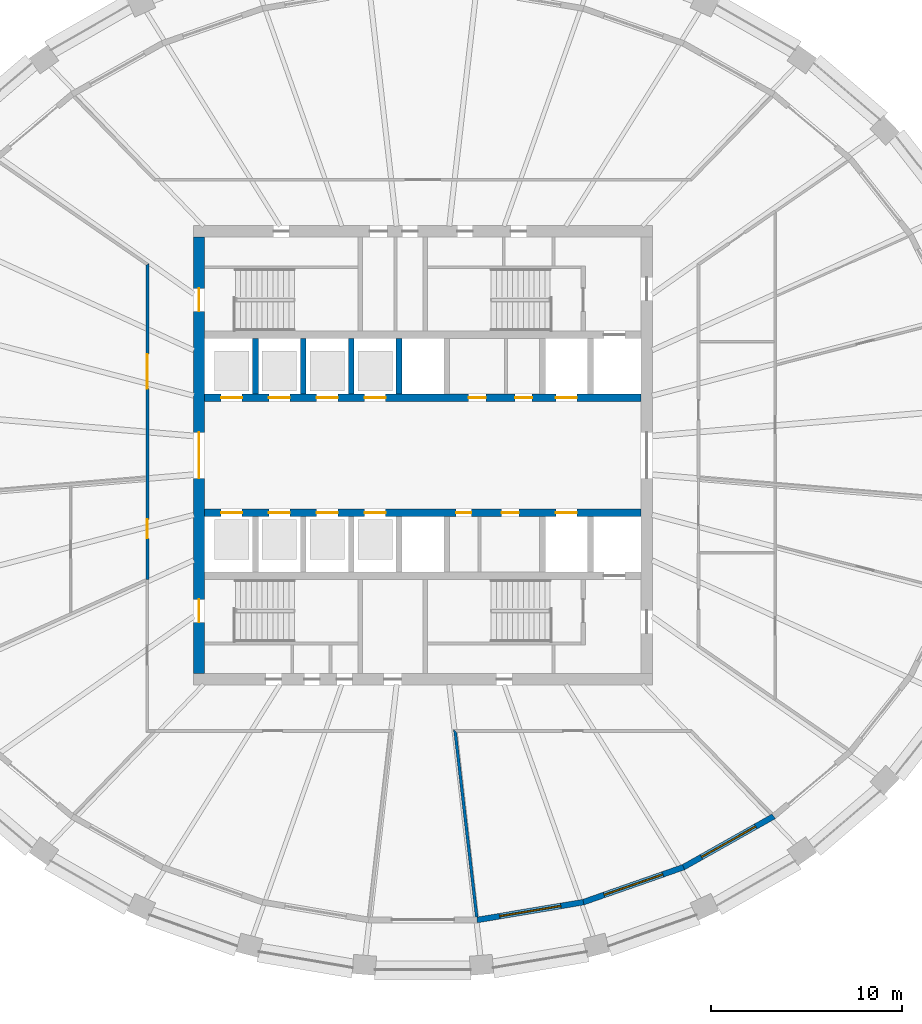
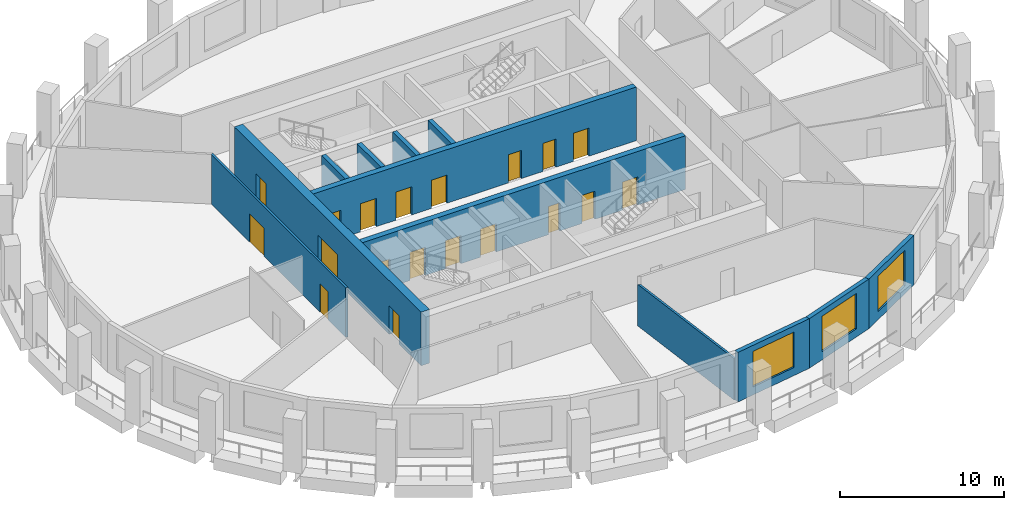
# One storey, part 4 of 11: 19 doors, 12 walls, 3 windows, 22 openings.
"""IFC4 building model written with IfcOpenShell, lengths in metres."""

from ifc_helpers import new_model, si_unit, direction, frame, frame_2d, origin, place, context, subcontext, project, spatial, polyline, rectangle, outline, extrude, material, layer, layer_set, type_object, element, fill, save


model = new_model("IFC4")

# Units and contexts
model_context = context("Model", 3, precision=1e-05, world=origin(), true_north=direction((0.0, 1.0)))
body_context = subcontext(model_context, "Body", "Model", "MODEL_VIEW")
ifc_project = project(units=[si_unit("LENGTHUNIT", "METRE"), si_unit("AREAUNIT", "SQUARE_METRE"), si_unit("VOLUMEUNIT", "CUBIC_METRE"), si_unit("PLANEANGLEUNIT", "RADIAN"), si_unit("MASSUNIT", "GRAM", prefix="KILO")], contexts=[model_context])

# Site, building, storey
site_placement = place(None, origin())
site = spatial("IfcSite", under=ifc_project, at=site_placement, CompositionType="ELEMENT")
building_placement = place(site_placement, origin())
building = spatial("IfcBuilding", under=site, at=building_placement, Name="Halqa Exchange Tower", CompositionType="ELEMENT")
storey_placement = place(building_placement, frame((0.0, 0.0, 234.89990234375)))
storey = spatial("IfcBuildingStorey", under=building, at=storey_placement, Name="L54", CompositionType="ELEMENT", Elevation=234.89990234375)

# Wall, openings, doors
ifc_material_1 = material(Name="Fire-rated gypsum board")
ifc_layer_1 = layer(ifc_material_1, 0.14990234375)
ifc_layer_set_1 = layer_set([ifc_layer_1], Name="Fire-rated gypsum board")
wall_type_1 = type_object("IfcWallType", Name="Fire partition EI 60 150", PredefinedType="PARTITIONING", material=ifc_layer_set_1)
wall_1_placement = place(storey_placement, frame((-14.39990234375, -6.489990234375, 0.0), z_axis=(0.0, 0.0, 1.0), x_axis=(0.0, 1.0, 0.0)))
wall_1 = element("IfcWall", 1, at=wall_1_placement, inside=storey, type_object=wall_type_1, Name="L54-PWL-006", PredefinedType="PARTITIONING", context=body_context, shape_type="SweptSolid", body=[
    extrude(outline(polyline([(16.499267578125, -0.074951171875), (16.499267578125, -0.07470703125), (16.420654296875, 0.074951171875), (14.59619140625, 0.074951171875), (12.771728515625, 0.074951171875), (10.947265625, 0.074951171875), (9.12255859375, 0.074951171875), (7.298095703125, 0.074951171875), (5.4736328125, 0.074951171875), (3.649169921875, 0.074951171875), (1.824462890625, 0.074951171875), (0.0, 0.074951171875), (0.0, -0.074951171875), (1.833251953125, -0.074951171875), (3.66650390625, -0.074951171875), (5.499755859375, -0.074951171875), (7.3330078125, -0.074951171875), (9.166259765625, -0.074951171875), (10.99951171875, -0.074951171875), (12.832763671875, -0.074951171875), (14.666015625, -0.074951171875), (16.499267578125, -0.074951171875)])), origin(), (0.0, 0.0, 1.0), 3.7001953125),
])
opening_1_placement = place(wall_1_placement, frame((9.97509765625, 0.0, 0.0)))
opening_1 = element("IfcOpeningElement", 2, at=opening_1_placement, cuts=wall_1, Name="Opening 16-02", PredefinedType="OPENING", context=body_context, shape_type="SweptSolid", body=[
    extrude(rectangle(XDim=1.800048828125, YDim=2.10009765625, at=frame_2d((0.89990234375, 1.050048828125))), frame((0.0, 0.0869140625, 0.0), z_axis=(0.0, -1.0, 0.0), x_axis=(1.0, 0.0, 0.0)), (0.0, 0.0, 1.0), 0.173828125),
])
opening_2_placement = place(wall_1_placement, frame((2.14501953125, 0.0, 0.0)))
opening_2 = element("IfcOpeningElement", 3, at=opening_2_placement, cuts=wall_1, Name="Opening 16-03", PredefinedType="OPENING", context=body_context, shape_type="SweptSolid", body=[
    extrude(rectangle(XDim=1.0, YDim=2.10009765625, at=frame_2d((0.5, 1.050048828125))), frame((0.0, 0.0869140625, 0.0), z_axis=(0.0, -1.0, 0.0), x_axis=(1.0, 0.0, 0.0)), (0.0, 0.0, 1.0), 0.173828125),
])
ifc_material_2 = material(Name="Steel fire door leaf", Category="steel")
door_type_1 = type_object("IfcDoorType", Name="Fire door FD30S 1000 x 2100", OperationType="SINGLE_SWING_LEFT", PredefinedType="DOOR", material=ifc_material_2)
door_1_placement = place(opening_2_placement, origin())
door_1 = element("IfcDoor", 4, at=door_1_placement, inside=storey, type_object=door_type_1, Name="L54-IDR-003", OperationType="SINGLE_SWING_RIGHT", OverallHeight=2.10009765625, OverallWidth=1.0, PredefinedType="DOOR", context=body_context, shape_type="SweptSolid", body=[
    extrude(rectangle(XDim=1.0, YDim=2.10009765625, at=frame_2d((0.5, 1.050048828125))), frame((0.0, 0.02490234375, 0.0), z_axis=(0.0, -1.0, 0.0), x_axis=(1.0, 0.0, 0.0)), (0.0, 0.0, 1.0), 0.050048828125),
])
fill(opening_2, door_1)
door_type_2 = type_object("IfcDoorType", Name="Fire door FD30S double 1800 x 2100", OperationType="DOUBLE_DOOR_SINGLE_SWING", PredefinedType="DOOR", material=ifc_material_2)
door_2_placement = place(opening_1_placement, origin())
door_2 = element("IfcDoor", 5, at=door_2_placement, inside=storey, type_object=door_type_2, Name="L54-IDR-002", OperationType="DOUBLE_DOOR_SINGLE_SWING", OverallHeight=2.10009765625, OverallWidth=1.800048828125, PredefinedType="DOOR", context=body_context, shape_type="SweptSolid", body=[
    extrude(rectangle(XDim=1.800048828125, YDim=2.10009765625, at=frame_2d((0.89990234375, 1.050048828125))), frame((0.0, 0.02490234375, 0.0), z_axis=(0.0, -1.0, 0.0), x_axis=(1.0, 0.0, 0.0)), (0.0, 0.0, 1.0), 0.050048828125),
])
fill(opening_1, door_2)

# Walls
wall_2_placement = place(storey_placement, frame((1.670166015625, -14.31640625, 0.0), z_axis=(0.0, 0.0, 1.0), x_axis=(0.115875821394, -0.993263708195, 0.0)))
element("IfcWall", 6, at=wall_2_placement, inside=storey, type_object=wall_type_1, Name="L54-PWL-013", PredefinedType="PARTITIONING", context=body_context, shape_type="SweptSolid", body=[
    extrude(outline(polyline([(0.0, -0.074951171875), (1.973876953125, -0.074951171875), (3.947998046875, -0.074951171875), (5.921875, -0.074951171875), (7.895751953125, -0.074951171875), (9.869873046875, -0.074951171875), (9.875, -0.0302734375), (9.875, 0.074951171875), (7.93359375, 0.074951171875), (5.992431640625, 0.074951171875), (4.051025390625, 0.074951171875), (2.109619140625, 0.074951171875), (0.168212890625, 0.074951171875), (0.084228515625, 0.0), (0.0, -0.074951171875), (0.0, -0.074951171875)])), origin(), (0.0, 0.0, 1.0), 3.10009765625),
])
ifc_material_3 = material(Name="Concrete C60/75", Category="concrete")
ifc_layer_2 = layer(ifc_material_3, 0.300048828125)
ifc_layer_set_2 = layer_set([ifc_layer_2], Name="Concrete C60/75")
wall_type_2 = type_object("IfcWallType", Name="RC core wall 300", PredefinedType="SHEAR", material=ifc_layer_set_2)
for number, where, z_axis, x_axis, name in (
    (7, (-8.75, 3.199951171875, 0.0), (0.0, 0.0, 1.0), (0.0, 1.0, 0.0), "Shaft divider N1"),
    (8, (-6.25, 3.199951171875, 0.0), (0.0, 0.0, 1.0), (0.0, 1.0, 0.0), "Shaft divider N2"),
    (9, (-3.75, 3.199951171875, 0.0), (0.0, 0.0, 1.0), (0.0, 1.0, 0.0), "Shaft divider N3"),
    (10, (-1.25, 3.199951171875, 0.0), (0.0, 0.0, 1.0), (0.0, 1.0, 0.0), "Shaft divider N4"),
):
    element("IfcWall", number, at=place(storey_placement, frame(where, z_axis=z_axis, x_axis=x_axis)), inside=storey, type_object=wall_type_2, Name=name, PredefinedType="SHEAR", context=body_context, shape_type="SweptSolid", body=[
        extrude(rectangle(XDim=2.900146484375, YDim=0.300048828125, at=frame_2d((1.4501953125, 0.0))), origin(), (0.0, 0.0, 1.0), 4.0),
    ])

# Wall, openings, doors
ifc_material_4 = material(Name="Concrete C70/85", Category="concrete")
ifc_layer_3 = layer(ifc_material_4, 0.39990234375)
ifc_layer_set_3 = layer_set([ifc_layer_3], Name="Concrete C70/85")
wall_type_3 = type_object("IfcWallType", Name="RC core wall 400 C70/85", PredefinedType="SHEAR", material=ifc_layer_set_3)
wall_3_placement = place(storey_placement, frame((-11.39990234375, 3.0, 0.0), z_axis=(0.0, 0.0, 1.0), x_axis=(1.0, 0.0, 0.0)))
wall_3 = element("IfcWall", 11, at=wall_3_placement, inside=storey, type_object=wall_type_3, Name="Lift row front wall N", PredefinedType="SHEAR", context=body_context, shape_type="SweptSolid", body=[
    extrude(rectangle(XDim=22.7998046875, YDim=0.39990234375, at=frame_2d((11.39990234375, 0.0))), origin(), (0.0, 0.0, 1.0), 4.0),
])
opening_3_placement = place(wall_3_placement, frame((0.85009765625, 0.0, 0.0)))
opening_3 = element("IfcOpeningElement", 12, at=opening_3_placement, cuts=wall_3, Name="Opening LD-HR1-T16", PredefinedType="OPENING", context=body_context, shape_type="SweptSolid", body=[
    extrude(rectangle(XDim=1.10009765625, YDim=2.10009765625, at=frame_2d((0.550048828125, 1.050048828125))), frame((0.0, 0.2119140625, 0.0), z_axis=(0.0, -1.0, 0.0), x_axis=(1.0, 0.0, 0.0)), (0.0, 0.0, 1.0), 0.423828125),
])
opening_4_placement = place(wall_3_placement, frame((3.35009765625, 0.0, 0.0)))
opening_4 = element("IfcOpeningElement", 13, at=opening_4_placement, cuts=wall_3, Name="Opening LD-HR2-T16", PredefinedType="OPENING", context=body_context, shape_type="SweptSolid", body=[
    extrude(rectangle(XDim=1.10009765625, YDim=2.10009765625, at=frame_2d((0.550048828125, 1.050048828125))), frame((0.0, 0.2119140625, 0.0), z_axis=(0.0, -1.0, 0.0), x_axis=(1.0, 0.0, 0.0)), (0.0, 0.0, 1.0), 0.423828125),
])
opening_5_placement = place(wall_3_placement, frame((5.85009765625, 0.0, 0.0)))
opening_5 = element("IfcOpeningElement", 14, at=opening_5_placement, cuts=wall_3, Name="Opening LD-MR1-T16", PredefinedType="OPENING", context=body_context, shape_type="SweptSolid", body=[
    extrude(rectangle(XDim=1.10009765625, YDim=2.10009765625, at=frame_2d((0.550048828125, 1.050048828125))), frame((0.0, 0.2119140625, 0.0), z_axis=(0.0, -1.0, 0.0), x_axis=(1.0, 0.0, 0.0)), (0.0, 0.0, 1.0), 0.423828125),
])
opening_6_placement = place(wall_3_placement, frame((8.35009765625, 0.0, 0.0)))
opening_6 = element("IfcOpeningElement", 15, at=opening_6_placement, cuts=wall_3, Name="Opening LD-MR2-T16", PredefinedType="OPENING", context=body_context, shape_type="SweptSolid", body=[
    extrude(rectangle(XDim=1.10009765625, YDim=2.10009765625, at=frame_2d((0.550048828125, 1.050048828125))), frame((0.0, 0.2119140625, 0.0), z_axis=(0.0, -1.0, 0.0), x_axis=(1.0, 0.0, 0.0)), (0.0, 0.0, 1.0), 0.423828125),
])
opening_7_placement = place(wall_3_placement, frame((18.35009765625, 0.0, 0.0)))
opening_7 = element("IfcOpeningElement", 16, at=opening_7_placement, cuts=wall_3, Name="Opening LD-SV1-T16", PredefinedType="OPENING", context=body_context, shape_type="SweptSolid", body=[
    extrude(rectangle(XDim=1.10009765625, YDim=2.10009765625, at=frame_2d((0.550048828125, 1.050048828125))), frame((0.0, 0.2119140625, 0.0), z_axis=(0.0, -1.0, 0.0), x_axis=(1.0, 0.0, 0.0)), (0.0, 0.0, 1.0), 0.423828125),
])
opening_8_placement = place(wall_3_placement, frame((13.78759765625, 0.0, 0.0)))
opening_8 = element("IfcOpeningElement", 17, at=opening_8_placement, cuts=wall_3, Name="Opening T16-C31", PredefinedType="OPENING", context=body_context, shape_type="SweptSolid", body=[
    extrude(rectangle(XDim=0.89990234375, YDim=2.10009765625, at=frame_2d((0.449951171875, 1.050048828125))), frame((0.0, 0.2119140625, 0.0), z_axis=(0.0, -1.0, 0.0), x_axis=(1.0, 0.0, 0.0)), (0.0, 0.0, 1.0), 0.423828125),
])
opening_9_placement = place(wall_3_placement, frame((16.21240234375, 0.0, 0.0)))
opening_9 = element("IfcOpeningElement", 18, at=opening_9_placement, cuts=wall_3, Name="Opening T16-C32", PredefinedType="OPENING", context=body_context, shape_type="SweptSolid", body=[
    extrude(rectangle(XDim=0.89990234375, YDim=2.10009765625, at=frame_2d((0.449951171875, 1.050048828125))), frame((0.0, 0.2119140625, 0.0), z_axis=(0.0, -1.0, 0.0), x_axis=(1.0, 0.0, 0.0)), (0.0, 0.0, 1.0), 0.423828125),
])
ifc_material_5 = material(Name="Timber fire door leaf", Category="wood")
door_type_3 = type_object("IfcDoorType", Name="Core room door FD30 900 x 2100", OperationType="SINGLE_SWING_LEFT", PredefinedType="DOOR", material=ifc_material_5)
door_3_placement = place(opening_8_placement, origin())
door_3 = element("IfcDoor", 19, at=door_3_placement, inside=storey, type_object=door_type_3, Name="Core room door", OperationType="SINGLE_SWING_RIGHT", OverallHeight=2.10009765625, OverallWidth=0.89990234375, PredefinedType="DOOR", context=body_context, shape_type="SweptSolid", body=[
    extrude(rectangle(XDim=0.89990234375, YDim=2.10009765625, at=frame_2d((0.449951171875, 1.050048828125))), frame((0.0, 0.02490234375, 0.0), z_axis=(0.0, -1.0, 0.0), x_axis=(1.0, 0.0, 0.0)), (0.0, 0.0, 1.0), 0.050048828125),
])
fill(opening_8, door_3)
door_4_placement = place(opening_9_placement, origin())
door_4 = element("IfcDoor", 20, at=door_4_placement, inside=storey, type_object=door_type_3, Name="Core room door", OperationType="SINGLE_SWING_RIGHT", OverallHeight=2.10009765625, OverallWidth=0.89990234375, PredefinedType="DOOR", context=body_context, shape_type="SweptSolid", body=[
    extrude(rectangle(XDim=0.89990234375, YDim=2.10009765625, at=frame_2d((0.449951171875, 1.050048828125))), frame((0.0, 0.02490234375, 0.0), z_axis=(0.0, -1.0, 0.0), x_axis=(1.0, 0.0, 0.0)), (0.0, 0.0, 1.0), 0.050048828125),
])
fill(opening_9, door_4)
ifc_material_6 = material(Name="Stainless steel", Category="steel")
door_type_4 = type_object("IfcDoorType", Name="Lift landing door 1100 x 2100", OperationType="SLIDING_TO_LEFT", PredefinedType="DOOR", material=ifc_material_6)
door_5_placement = place(opening_3_placement, origin())
door_5 = element("IfcDoor", 21, at=door_5_placement, inside=storey, type_object=door_type_4, Name="Lift landing door HR1", OperationType="SLIDING_TO_LEFT", OverallHeight=2.10009765625, OverallWidth=1.10009765625, PredefinedType="DOOR", context=body_context, shape_type="SweptSolid", body=[
    extrude(rectangle(XDim=1.10009765625, YDim=2.10009765625, at=frame_2d((0.550048828125, 1.050048828125))), frame((0.0, 0.02490234375, 0.0), z_axis=(0.0, -1.0, 0.0), x_axis=(1.0, 0.0, 0.0)), (0.0, 0.0, 1.0), 0.050048828125),
])
fill(opening_3, door_5)
door_6_placement = place(opening_4_placement, origin())
door_6 = element("IfcDoor", 22, at=door_6_placement, inside=storey, type_object=door_type_4, Name="Lift landing door HR2", OperationType="SLIDING_TO_LEFT", OverallHeight=2.10009765625, OverallWidth=1.10009765625, PredefinedType="DOOR", context=body_context, shape_type="SweptSolid", body=[
    extrude(rectangle(XDim=1.10009765625, YDim=2.10009765625, at=frame_2d((0.550048828125, 1.050048828125))), frame((0.0, 0.02490234375, 0.0), z_axis=(0.0, -1.0, 0.0), x_axis=(1.0, 0.0, 0.0)), (0.0, 0.0, 1.0), 0.050048828125),
])
fill(opening_4, door_6)
door_7_placement = place(opening_5_placement, origin())
door_7 = element("IfcDoor", 23, at=door_7_placement, inside=storey, type_object=door_type_4, Name="Lift landing door MR1", OperationType="SLIDING_TO_LEFT", OverallHeight=2.10009765625, OverallWidth=1.10009765625, PredefinedType="DOOR", context=body_context, shape_type="SweptSolid", body=[
    extrude(rectangle(XDim=1.10009765625, YDim=2.10009765625, at=frame_2d((0.550048828125, 1.050048828125))), frame((0.0, 0.02490234375, 0.0), z_axis=(0.0, -1.0, 0.0), x_axis=(1.0, 0.0, 0.0)), (0.0, 0.0, 1.0), 0.050048828125),
])
fill(opening_5, door_7)
door_8_placement = place(opening_6_placement, origin())
door_8 = element("IfcDoor", 24, at=door_8_placement, inside=storey, type_object=door_type_4, Name="Lift landing door MR2", OperationType="SLIDING_TO_LEFT", OverallHeight=2.10009765625, OverallWidth=1.10009765625, PredefinedType="DOOR", context=body_context, shape_type="SweptSolid", body=[
    extrude(rectangle(XDim=1.10009765625, YDim=2.10009765625, at=frame_2d((0.550048828125, 1.050048828125))), frame((0.0, 0.02490234375, 0.0), z_axis=(0.0, -1.0, 0.0), x_axis=(1.0, 0.0, 0.0)), (0.0, 0.0, 1.0), 0.050048828125),
])
fill(opening_6, door_8)
door_9_placement = place(opening_7_placement, origin())
door_9 = element("IfcDoor", 25, at=door_9_placement, inside=storey, type_object=door_type_4, Name="Lift landing door SV1", OperationType="SLIDING_TO_LEFT", OverallHeight=2.10009765625, OverallWidth=1.10009765625, PredefinedType="DOOR", context=body_context, shape_type="SweptSolid", body=[
    extrude(rectangle(XDim=1.10009765625, YDim=2.10009765625, at=frame_2d((0.550048828125, 1.050048828125))), frame((0.0, 0.02490234375, 0.0), z_axis=(0.0, -1.0, 0.0), x_axis=(1.0, 0.0, 0.0)), (0.0, 0.0, 1.0), 0.050048828125),
])
fill(opening_7, door_9)

wall_4_placement = place(storey_placement, frame((-11.39990234375, -3.0, 0.0), z_axis=(0.0, 0.0, 1.0), x_axis=(1.0, 0.0, 0.0)))
wall_4 = element("IfcWall", 26, at=wall_4_placement, inside=storey, type_object=wall_type_3, Name="Lift row front wall S", PredefinedType="SHEAR", context=body_context, shape_type="SweptSolid", body=[
    extrude(rectangle(XDim=22.7998046875, YDim=0.39990234375, at=frame_2d((11.39990234375, 0.0))), origin(), (0.0, 0.0, 1.0), 4.0),
])
opening_10_placement = place(wall_4_placement, frame((0.85009765625, 0.0, 0.0)))
opening_10 = element("IfcOpeningElement", 27, at=opening_10_placement, cuts=wall_4, Name="Opening LD-HR3-T16", PredefinedType="OPENING", context=body_context, shape_type="SweptSolid", body=[
    extrude(rectangle(XDim=1.10009765625, YDim=2.10009765625, at=frame_2d((0.550048828125, 1.050048828125))), frame((0.0, 0.2119140625, 0.0), z_axis=(0.0, -1.0, 0.0), x_axis=(1.0, 0.0, 0.0)), (0.0, 0.0, 1.0), 0.423828125),
])
opening_11_placement = place(wall_4_placement, frame((3.35009765625, 0.0, 0.0)))
opening_11 = element("IfcOpeningElement", 28, at=opening_11_placement, cuts=wall_4, Name="Opening LD-HR4-T16", PredefinedType="OPENING", context=body_context, shape_type="SweptSolid", body=[
    extrude(rectangle(XDim=1.10009765625, YDim=2.10009765625, at=frame_2d((0.550048828125, 1.050048828125))), frame((0.0, 0.2119140625, 0.0), z_axis=(0.0, -1.0, 0.0), x_axis=(1.0, 0.0, 0.0)), (0.0, 0.0, 1.0), 0.423828125),
])
opening_12_placement = place(wall_4_placement, frame((5.85009765625, 0.0, 0.0)))
opening_12 = element("IfcOpeningElement", 29, at=opening_12_placement, cuts=wall_4, Name="Opening LD-MR3-T16", PredefinedType="OPENING", context=body_context, shape_type="SweptSolid", body=[
    extrude(rectangle(XDim=1.10009765625, YDim=2.10009765625, at=frame_2d((0.550048828125, 1.050048828125))), frame((0.0, 0.2119140625, 0.0), z_axis=(0.0, -1.0, 0.0), x_axis=(1.0, 0.0, 0.0)), (0.0, 0.0, 1.0), 0.423828125),
])
opening_13_placement = place(wall_4_placement, frame((8.35009765625, 0.0, 0.0)))
opening_13 = element("IfcOpeningElement", 30, at=opening_13_placement, cuts=wall_4, Name="Opening LD-MR4-T16", PredefinedType="OPENING", context=body_context, shape_type="SweptSolid", body=[
    extrude(rectangle(XDim=1.10009765625, YDim=2.10009765625, at=frame_2d((0.550048828125, 1.050048828125))), frame((0.0, 0.2119140625, 0.0), z_axis=(0.0, -1.0, 0.0), x_axis=(1.0, 0.0, 0.0)), (0.0, 0.0, 1.0), 0.423828125),
])
opening_14_placement = place(wall_4_placement, frame((18.35009765625, 0.0, 0.0)))
opening_14 = element("IfcOpeningElement", 31, at=opening_14_placement, cuts=wall_4, Name="Opening LD-SV2-T16", PredefinedType="OPENING", context=body_context, shape_type="SweptSolid", body=[
    extrude(rectangle(XDim=1.10009765625, YDim=2.10009765625, at=frame_2d((0.550048828125, 1.050048828125))), frame((0.0, 0.2119140625, 0.0), z_axis=(0.0, -1.0, 0.0), x_axis=(1.0, 0.0, 0.0)), (0.0, 0.0, 1.0), 0.423828125),
])
opening_15_placement = place(wall_4_placement, frame((13.137451171875, 0.0, 0.0)))
opening_15 = element("IfcOpeningElement", 32, at=opening_15_placement, cuts=wall_4, Name="Opening T16-C33", PredefinedType="OPENING", context=body_context, shape_type="SweptSolid", body=[
    extrude(rectangle(XDim=0.800048828125, YDim=2.10009765625, at=frame_2d((0.39990234375, 1.050048828125))), frame((0.0, 0.2119140625, 0.0), z_axis=(0.0, -1.0, 0.0), x_axis=(1.0, 0.0, 0.0)), (0.0, 0.0, 1.0), 0.423828125),
])
opening_16_placement = place(wall_4_placement, frame((15.512451171875, 0.0, 0.0)))
opening_16 = element("IfcOpeningElement", 33, at=opening_16_placement, cuts=wall_4, Name="Opening T16-C34", PredefinedType="OPENING", context=body_context, shape_type="SweptSolid", body=[
    extrude(rectangle(XDim=0.89990234375, YDim=2.10009765625, at=frame_2d((0.449951171875, 1.050048828125))), frame((0.0, 0.2119140625, 0.0), z_axis=(0.0, -1.0, 0.0), x_axis=(1.0, 0.0, 0.0)), (0.0, 0.0, 1.0), 0.423828125),
])
door_10_placement = place(opening_16_placement, frame((0.89990234375, 0.0, 0.0), z_axis=(0.0, 0.0, 1.0), x_axis=(-1.0, 0.0, 0.0)))
door_10 = element("IfcDoor", 34, at=door_10_placement, inside=storey, type_object=door_type_3, Name="Core room door", OperationType="SINGLE_SWING_RIGHT", OverallHeight=2.10009765625, OverallWidth=0.89990234375, PredefinedType="DOOR", context=body_context, shape_type="SweptSolid", body=[
    extrude(rectangle(XDim=0.89990234375, YDim=2.10009765625, at=frame_2d((0.449951171875, 1.050048828125))), frame((0.0, 0.02490234375, 0.0), z_axis=(0.0, -1.0, 0.0), x_axis=(1.0, 0.0, 0.0)), (0.0, 0.0, 1.0), 0.050048828125),
])
fill(opening_16, door_10)
door_11_placement = place(opening_10_placement, origin())
door_11 = element("IfcDoor", 35, at=door_11_placement, inside=storey, type_object=door_type_4, Name="Lift landing door HR3", OperationType="SLIDING_TO_LEFT", OverallHeight=2.10009765625, OverallWidth=1.10009765625, PredefinedType="DOOR", context=body_context, shape_type="SweptSolid", body=[
    extrude(rectangle(XDim=1.10009765625, YDim=2.10009765625, at=frame_2d((0.550048828125, 1.050048828125))), frame((0.0, 0.02490234375, 0.0), z_axis=(0.0, -1.0, 0.0), x_axis=(1.0, 0.0, 0.0)), (0.0, 0.0, 1.0), 0.050048828125),
])
fill(opening_10, door_11)
door_12_placement = place(opening_11_placement, origin())
door_12 = element("IfcDoor", 36, at=door_12_placement, inside=storey, type_object=door_type_4, Name="Lift landing door HR4", OperationType="SLIDING_TO_LEFT", OverallHeight=2.10009765625, OverallWidth=1.10009765625, PredefinedType="DOOR", context=body_context, shape_type="SweptSolid", body=[
    extrude(rectangle(XDim=1.10009765625, YDim=2.10009765625, at=frame_2d((0.550048828125, 1.050048828125))), frame((0.0, 0.02490234375, 0.0), z_axis=(0.0, -1.0, 0.0), x_axis=(1.0, 0.0, 0.0)), (0.0, 0.0, 1.0), 0.050048828125),
])
fill(opening_11, door_12)
door_13_placement = place(opening_12_placement, origin())
door_13 = element("IfcDoor", 37, at=door_13_placement, inside=storey, type_object=door_type_4, Name="Lift landing door MR3", OperationType="SLIDING_TO_LEFT", OverallHeight=2.10009765625, OverallWidth=1.10009765625, PredefinedType="DOOR", context=body_context, shape_type="SweptSolid", body=[
    extrude(rectangle(XDim=1.10009765625, YDim=2.10009765625, at=frame_2d((0.550048828125, 1.050048828125))), frame((0.0, 0.02490234375, 0.0), z_axis=(0.0, -1.0, 0.0), x_axis=(1.0, 0.0, 0.0)), (0.0, 0.0, 1.0), 0.050048828125),
])
fill(opening_12, door_13)
door_14_placement = place(opening_13_placement, origin())
door_14 = element("IfcDoor", 38, at=door_14_placement, inside=storey, type_object=door_type_4, Name="Lift landing door MR4", OperationType="SLIDING_TO_LEFT", OverallHeight=2.10009765625, OverallWidth=1.10009765625, PredefinedType="DOOR", context=body_context, shape_type="SweptSolid", body=[
    extrude(rectangle(XDim=1.10009765625, YDim=2.10009765625, at=frame_2d((0.550048828125, 1.050048828125))), frame((0.0, 0.02490234375, 0.0), z_axis=(0.0, -1.0, 0.0), x_axis=(1.0, 0.0, 0.0)), (0.0, 0.0, 1.0), 0.050048828125),
])
fill(opening_13, door_14)
door_15_placement = place(opening_14_placement, origin())
door_15 = element("IfcDoor", 39, at=door_15_placement, inside=storey, type_object=door_type_4, Name="Lift landing door SV2", OperationType="SLIDING_TO_LEFT", OverallHeight=2.10009765625, OverallWidth=1.10009765625, PredefinedType="DOOR", context=body_context, shape_type="SweptSolid", body=[
    extrude(rectangle(XDim=1.10009765625, YDim=2.10009765625, at=frame_2d((0.550048828125, 1.050048828125))), frame((0.0, 0.02490234375, 0.0), z_axis=(0.0, -1.0, 0.0), x_axis=(1.0, 0.0, 0.0)), (0.0, 0.0, 1.0), 0.050048828125),
])
fill(opening_14, door_15)
door_type_5 = type_object("IfcDoorType", Name="Riser door FD60 800 x 2100", OperationType="SINGLE_SWING_LEFT", PredefinedType="DOOR", material=ifc_material_2)
door_16_placement = place(opening_15_placement, frame((0.800048828125, 0.0, 0.0), z_axis=(0.0, 0.0, 1.0), x_axis=(-1.0, 0.0, 0.0)))
door_16 = element("IfcDoor", 40, at=door_16_placement, inside=storey, type_object=door_type_5, Name="Core room door", OperationType="SINGLE_SWING_LEFT", OverallHeight=2.10009765625, OverallWidth=0.800048828125, PredefinedType="DOOR", context=body_context, shape_type="SweptSolid", body=[
    extrude(rectangle(XDim=0.800048828125, YDim=2.10009765625, at=frame_2d((0.39990234375, 1.050048828125))), frame((0.0, 0.02490234375, 0.0), z_axis=(0.0, -1.0, 0.0), x_axis=(1.0, 0.0, 0.0)), (0.0, 0.0, 1.0), 0.050048828125),
])
fill(opening_15, door_16)

ifc_layer_4 = layer(ifc_material_4, 0.60009765625)
ifc_layer_set_4 = layer_set([ifc_layer_4], Name="Concrete C70/85")
wall_type_4 = type_object("IfcWallType", Name="RC core wall 600 C70/85", PredefinedType="SHEAR", material=ifc_layer_set_4)
wall_5_placement = place(storey_placement, frame((-11.699951171875, -11.39990234375, 0.0), z_axis=(0.0, 0.0, 1.0), x_axis=(0.0, 1.0, 0.0)))
wall_5 = element("IfcWall", 41, at=wall_5_placement, inside=storey, type_object=wall_type_4, Name="Core wall west", PredefinedType="SHEAR", context=body_context, shape_type="SweptSolid", body=[
    extrude(rectangle(XDim=22.7998046875, YDim=0.60009765625, at=frame_2d((11.39990234375, 0.0))), origin(), (0.0, 0.0, 1.0), 4.0),
])
opening_17_placement = place(wall_5_placement, frame((10.199951171875, 0.0, 0.0)))
opening_17 = element("IfcOpeningElement", 42, at=opening_17_placement, cuts=wall_5, Name="Opening T16-C13", PredefinedType="OPENING", context=body_context, shape_type="SweptSolid", body=[
    extrude(rectangle(XDim=2.39990234375, YDim=2.10009765625, at=frame_2d((1.199951171875, 1.050048828125))), frame((0.0, 0.31201171875, 0.0), z_axis=(0.0, -1.0, 0.0), x_axis=(1.0, 0.0, 0.0)), (0.0, 0.0, 1.0), 0.6240234375),
])
opening_18_placement = place(wall_5_placement, frame((18.925048828125, 0.0, 0.0)))
opening_18 = element("IfcOpeningElement", 43, at=opening_18_placement, cuts=wall_5, Name="Opening T16-C15", PredefinedType="OPENING", context=body_context, shape_type="SweptSolid", body=[
    extrude(rectangle(XDim=1.199951171875, YDim=2.10009765625, at=frame_2d((0.60009765625, 1.050048828125))), frame((0.0, 0.31201171875, 0.0), z_axis=(0.0, -1.0, 0.0), x_axis=(1.0, 0.0, 0.0)), (0.0, 0.0, 1.0), 0.6240234375),
])
opening_19_placement = place(wall_5_placement, frame((2.675048828125, 0.0, 0.0)))
opening_19 = element("IfcOpeningElement", 44, at=opening_19_placement, cuts=wall_5, Name="Opening T16-C17", PredefinedType="OPENING", context=body_context, shape_type="SweptSolid", body=[
    extrude(rectangle(XDim=1.199951171875, YDim=2.10009765625, at=frame_2d((0.60009765625, 1.050048828125))), frame((0.0, 0.31201171875, 0.0), z_axis=(0.0, -1.0, 0.0), x_axis=(1.0, 0.0, 0.0)), (0.0, 0.0, 1.0), 0.6240234375),
])
door_type_6 = type_object("IfcDoorType", Name="Lobby double door FD60 2400 x 2100", OperationType="DOUBLE_DOOR_SINGLE_SWING", PredefinedType="DOOR", material=ifc_material_2)
door_17_placement = place(opening_17_placement, frame((2.39990234375, 0.0, 0.0), z_axis=(0.0, 0.0, 1.0), x_axis=(-1.0, 0.0, 0.0)))
door_17 = element("IfcDoor", 45, at=door_17_placement, inside=storey, type_object=door_type_6, Name="Lift lobby double door", OperationType="DOUBLE_DOOR_SINGLE_SWING", OverallHeight=2.10009765625, OverallWidth=2.39990234375, PredefinedType="DOOR", context=body_context, shape_type="SweptSolid", body=[
    extrude(rectangle(XDim=2.39990234375, YDim=2.10009765625, at=frame_2d((1.199951171875, 1.050048828125))), frame((0.0, 0.02490234375, 0.0), z_axis=(0.0, -1.0, 0.0), x_axis=(1.0, 0.0, 0.0)), (0.0, 0.0, 1.0), 0.050048828125),
])
fill(opening_17, door_17)
door_type_7 = type_object("IfcDoorType", Name="Stair door FD90 1200 x 2100", OperationType="SINGLE_SWING_LEFT", PredefinedType="DOOR", material=ifc_material_2)
door_18_placement = place(opening_18_placement, frame((1.199951171875, 0.0, 0.0), z_axis=(0.0, 0.0, 1.0), x_axis=(-1.0, 0.0, 0.0)))
door_18 = element("IfcDoor", 46, at=door_18_placement, inside=storey, type_object=door_type_7, Name="Stair door ST1", OperationType="SINGLE_SWING_RIGHT", OverallHeight=2.10009765625, OverallWidth=1.199951171875, PredefinedType="DOOR", context=body_context, shape_type="SweptSolid", body=[
    extrude(rectangle(XDim=1.199951171875, YDim=2.10009765625, at=frame_2d((0.60009765625, 1.050048828125))), frame((0.0, 0.02490234375, 0.0), z_axis=(0.0, -1.0, 0.0), x_axis=(1.0, 0.0, 0.0)), (0.0, 0.0, 1.0), 0.050048828125),
])
fill(opening_18, door_18)
door_19_placement = place(opening_19_placement, frame((1.199951171875, 0.0, 0.0), z_axis=(0.0, 0.0, 1.0), x_axis=(-1.0, 0.0, 0.0)))
door_19 = element("IfcDoor", 47, at=door_19_placement, inside=storey, type_object=door_type_7, Name="Stair door ST3", OperationType="SINGLE_SWING_RIGHT", OverallHeight=2.10009765625, OverallWidth=1.199951171875, PredefinedType="DOOR", context=body_context, shape_type="SweptSolid", body=[
    extrude(rectangle(XDim=1.199951171875, YDim=2.10009765625, at=frame_2d((0.60009765625, 1.050048828125))), frame((0.0, 0.02490234375, 0.0), z_axis=(0.0, -1.0, 0.0), x_axis=(1.0, 0.0, 0.0)), (0.0, 0.0, 1.0), 0.050048828125),
])
fill(opening_19, door_19)

# Wall, opening, window
ifc_material_7 = material(Name="Limestone cladding", Category="masonry")
ifc_layer_5 = layer(ifc_material_7, 0.0400390625)
ifc_material_8 = material(Name="Ventilated cavity")
ifc_layer_6 = layer(ifc_material_8, 0.030029296875, ventilated=True)
ifc_material_9 = material(Name="Mineral wool insulation")
ifc_layer_7 = layer(ifc_material_9, 0.10009765625)
ifc_material_10 = material(Name="Concrete C30/37", Category="concrete")
ifc_layer_8 = layer(ifc_material_10, 0.10009765625)
ifc_material_11 = material(Name="Internal plaster")
ifc_layer_9 = layer(ifc_material_11, 0.030029296875)
ifc_layer_set_5 = layer_set([ifc_layer_5, ifc_layer_6, ifc_layer_7, ifc_layer_8, ifc_layer_9], Name="Stone-faced insulated wall 300")
wall_type_5 = type_object("IfcWallType", Name="Stone-faced insulated wall 300", PredefinedType="STANDARD", material=ifc_layer_set_5)
wall_6_placement = place(storey_placement, frame((2.830810546875, -24.2783203125, 0.0), z_axis=(0.0, 0.0, 1.0), x_axis=(0.986223472554, 0.165418445715, 0.0)))
wall_6 = element("IfcWall", 48, at=wall_6_placement, inside=storey, type_object=wall_type_5, Name="Glass-line wall 25", PredefinedType="STANDARD", context=body_context, shape_type="SweptSolid", body=[
    extrude(outline(polyline([(-0.012451171875, -0.14990234375), (5.643310546875, -0.14990234375), (5.617919921875, 0.14990234375), (0.012451171875, 0.14990234375), (-0.012451171875, -0.14990234375)])), origin(), (0.0, 0.0, 1.0), 3.7001953125),
])
opening_20_placement = place(wall_6_placement, frame((1.190185546875, 0.0, 0.60009765625)))
opening_20 = element("IfcOpeningElement", 49, at=opening_20_placement, cuts=wall_6, Name="Opening W-F3-25", PredefinedType="OPENING", context=body_context, shape_type="SweptSolid", body=[
    extrude(rectangle(XDim=3.25, YDim=2.64990234375, at=frame_2d((1.625, 1.324951171875))), frame((0.0, 0.162109375, 0.0), z_axis=(0.0, -1.0, 0.0), x_axis=(1.0, 0.0, 0.0)), (0.0, 0.0, 1.0), 0.323974609375),
])
ifc_material_12 = material(Name="Clear low-emissivity glass in aluminium frame", Category="aluminium")
window_type = type_object("IfcWindowType", Name="Fixed clear glazed window 3250 x 2650", PartitioningType="TRIPLE_PANEL_VERTICAL", PredefinedType="WINDOW", material=ifc_material_12)
window_1_placement = place(opening_20_placement, origin())
window_1 = element("IfcWindow", 50, at=window_1_placement, inside=storey, type_object=window_type, Name="Window 3", OverallHeight=2.64990234375, OverallWidth=3.25, PartitioningType="TRIPLE_PANEL_VERTICAL", PredefinedType="WINDOW", context=body_context, shape_type="SweptSolid", body=[
    extrude(rectangle(XDim=3.25, YDim=2.64990234375, at=frame_2d((1.625, 1.324951171875))), frame((0.0, 0.030029296875, 0.0), z_axis=(0.0, -1.0, 0.0), x_axis=(1.0, 0.0, 0.0)), (0.0, 0.0, 1.0), 0.06005859375),
])
fill(opening_20, window_1)

wall_7_placement = place(storey_placement, frame((8.3837890625, -23.346923828125, 0.0), z_axis=(0.0, 0.0, 1.0), x_axis=(0.944075859918, 0.329728328659, 0.0)))
wall_7 = element("IfcWall", 51, at=wall_7_placement, inside=storey, type_object=wall_type_5, Name="Glass-line wall 26", PredefinedType="STANDARD", context=body_context, shape_type="SweptSolid", body=[
    extrude(outline(polyline([(-0.0126953125, -0.14990234375), (5.5556640625, -0.14990234375), (5.52880859375, 0.14990234375), (0.0126953125, 0.14990234375), (-0.0126953125, -0.14990234375)])), origin(), (0.0, 0.0, 1.0), 3.7001953125),
])
opening_21_placement = place(wall_7_placement, frame((1.14599609375, 0.0, 0.60009765625)))
opening_21 = element("IfcOpeningElement", 52, at=opening_21_placement, cuts=wall_7, Name="Opening W-F3-26", PredefinedType="OPENING", context=body_context, shape_type="SweptSolid", body=[
    extrude(rectangle(XDim=3.25, YDim=2.64990234375, at=frame_2d((1.625, 1.324951171875))), frame((0.0, 0.162109375, 0.0), z_axis=(0.0, -1.0, 0.0), x_axis=(1.0, 0.0, 0.0)), (0.0, 0.0, 1.0), 0.323974609375),
])
window_2_placement = place(opening_21_placement, origin())
window_2 = element("IfcWindow", 53, at=window_2_placement, inside=storey, type_object=window_type, Name="Window 3", OverallHeight=2.64990234375, OverallWidth=3.25, PartitioningType="TRIPLE_PANEL_VERTICAL", PredefinedType="WINDOW", context=body_context, shape_type="SweptSolid", body=[
    extrude(rectangle(XDim=3.25, YDim=2.64990234375, at=frame_2d((1.625, 1.324951171875))), frame((0.0, 0.030029296875, 0.0), z_axis=(0.0, -1.0, 0.0), x_axis=(1.0, 0.0, 0.0)), (0.0, 0.0, 1.0), 0.06005859375),
])
fill(opening_21, window_2)

wall_8_placement = place(storey_placement, frame((13.615966796875, -21.51953125, 0.0), z_axis=(0.0, 0.0, 1.0), x_axis=(0.871225596594, 0.490882837181, 0.0)))
wall_8 = element("IfcWall", 54, at=wall_8_placement, inside=storey, type_object=wall_type_5, Name="Glass-line wall 27", PredefinedType="STANDARD", context=body_context, shape_type="SweptSolid", body=[
    extrude(outline(polyline([(-0.013427734375, -0.14990234375), (5.4208984375, -0.14990234375), (5.392578125, 0.14990234375), (0.013427734375, 0.14990234375), (-0.013427734375, -0.14990234375)])), origin(), (0.0, 0.0, 1.0), 3.7001953125),
])
opening_22_placement = place(wall_8_placement, frame((1.078369140625, 0.0, 0.60009765625)))
opening_22 = element("IfcOpeningElement", 55, at=opening_22_placement, cuts=wall_8, Name="Opening W-F3-27", PredefinedType="OPENING", context=body_context, shape_type="SweptSolid", body=[
    extrude(rectangle(XDim=3.25, YDim=2.64990234375, at=frame_2d((1.625, 1.324951171875))), frame((0.0, 0.162109375, 0.0), z_axis=(0.0, -1.0, 0.0), x_axis=(1.0, 0.0, 0.0)), (0.0, 0.0, 1.0), 0.323974609375),
])
window_3_placement = place(opening_22_placement, origin())
window_3 = element("IfcWindow", 56, at=window_3_placement, inside=storey, type_object=window_type, Name="Window 3", OverallHeight=2.64990234375, OverallWidth=3.25, PartitioningType="TRIPLE_PANEL_VERTICAL", PredefinedType="WINDOW", context=body_context, shape_type="SweptSolid", body=[
    extrude(rectangle(XDim=3.25, YDim=2.64990234375, at=frame_2d((1.625, 1.324951171875))), frame((0.0, 0.030029296875, 0.0), z_axis=(0.0, -1.0, 0.0), x_axis=(1.0, 0.0, 0.0)), (0.0, 0.0, 1.0), 0.06005859375),
])
fill(opening_22, window_3)

save(model, "model.ifc")
